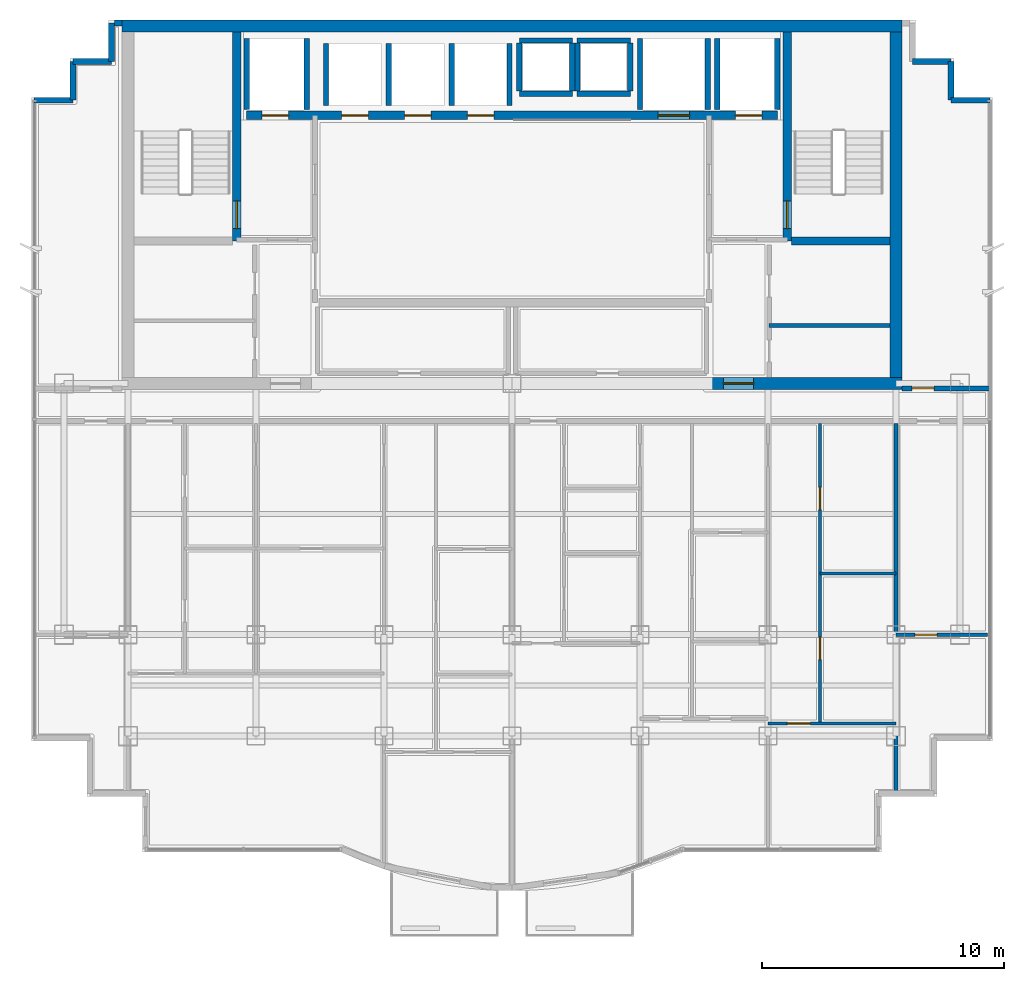
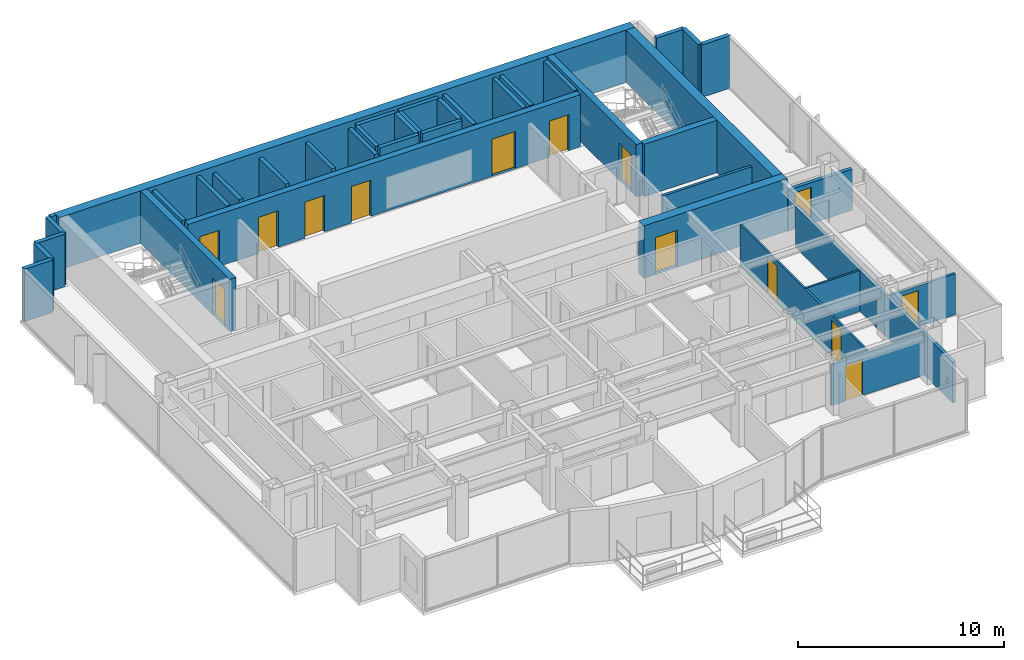
# One storey, part 9 of 12: 40 walls, 14 doors, 14 openings.
"""IFC4 building model written with IfcOpenShell, lengths in metres."""

from ifc_helpers import new_model, si_unit, direction, frame, frame_2d, origin, place, context, subcontext, project, spatial, rectangle, extrude, material, layer, layer_set, type_object, element, fill, save


model = new_model("IFC4")

# Units and contexts
model_context = context("Model", 3, precision=1e-05, world=origin(), true_north=direction((0.0, 1.0)))
body_context = subcontext(model_context, "Body", "Model", "MODEL_VIEW")
ifc_project = project(units=[si_unit("LENGTHUNIT", "METRE"), si_unit("AREAUNIT", "SQUARE_METRE"), si_unit("VOLUMEUNIT", "CUBIC_METRE"), si_unit("PLANEANGLEUNIT", "RADIAN"), si_unit("MASSUNIT", "GRAM", prefix="KILO")], contexts=[model_context])

# Site, building, storey
site_placement = place(None, origin())
site = spatial("IfcSite", under=ifc_project, at=site_placement, CompositionType="ELEMENT")
building_placement = place(site_placement, origin())
building = spatial("IfcBuilding", under=site, at=building_placement, Name="Qianlan Lanfeng Residences", CompositionType="ELEMENT")
storey_placement = place(building_placement, frame((0.0, 0.0, 216.5)))
storey = spatial("IfcBuildingStorey", under=building, at=storey_placement, Name="L59", CompositionType="ELEMENT", Elevation=216.5)

# Wall, opening, door
ifc_material_1 = material(Name="Concrete C49", Category="concrete")
ifc_layer_1 = layer(ifc_material_1, 0.35009765625)
ifc_layer_set_1 = layer_set([ifc_layer_1], Name="Concrete C49")
wall_type_1 = type_object("IfcWallType", Name="CW-RC-350", PredefinedType="SHEAR", material=ifc_layer_set_1)
wall_1_placement = place(storey_placement, frame((15.10009765625, 31.10009765625, 0.0), z_axis=(0.0, 0.0, 1.0), x_axis=(0.0, 1.0, 0.0)))
wall_1 = element("IfcWall", 1, at=wall_1_placement, inside=storey, type_object=wall_type_1, Name="L59 Core Shear Wall ST1E", PredefinedType="SHEAR", context=body_context, shape_type="SweptSolid", body=[
    extrude(rectangle(XDim=8.64990234375, YDim=0.35009765625, at=frame_2d((4.324951171875, 0.0))), origin(), (0.0, 0.0, 1.0), 3.110107421875),
])
opening_1_placement = place(wall_1_placement, frame((0.510009765625, 0.0, 0.0)))
opening_1 = element("IfcOpeningElement", 2, at=opening_1_placement, cuts=wall_1, Name="Opening L59-D07", PredefinedType="OPENING", context=body_context, shape_type="SweptSolid", body=[
    extrude(rectangle(XDim=1.14990234375, YDim=2.199951171875, at=frame_2d((0.574951171875, 1.10009765625))), frame((0.0, 0.18505859375, 0.0), z_axis=(0.0, -1.0, 0.0), x_axis=(1.0, 0.0, 0.0)), (0.0, 0.0, 1.0), 0.3701171875),
])
ifc_material_2 = material(Name="Painted Galvanised Steel Fire Door", Category="steel")
door_type_1 = type_object("IfcDoorType", Name="DT-ST1", OperationType="NOTDEFINED", PredefinedType="DOOR", material=ifc_material_2)
door_1_placement = place(opening_1_placement, frame((1.14990234375, 0.0, 0.0), z_axis=(0.0, 0.0, 1.0), x_axis=(-1.0, 0.0, 0.0)))
door_1 = element("IfcDoor", 3, at=door_1_placement, inside=storey, type_object=door_type_1, Name="L59 Exit Stair ST-1 Door L59-D07 (DT-ST1)", OperationType="SINGLE_SWING_RIGHT", OverallHeight=2.199951171875, OverallWidth=1.14990234375, PredefinedType="DOOR", context=body_context, shape_type="SweptSolid", body=[
    extrude(rectangle(XDim=1.14990234375, YDim=2.199951171875, at=frame_2d((0.574951171875, 1.10009765625))), frame((0.0, 0.02490234375, 0.0), z_axis=(0.0, -1.0, 0.0), x_axis=(1.0, 0.0, 0.0)), (0.0, 0.0, 1.0), 0.050048828125),
])
fill(opening_1, door_1)

wall_2_placement = place(storey_placement, frame((37.89990234375, 31.10009765625, 0.0), z_axis=(0.0, 0.0, 1.0), x_axis=(0.0, 1.0, 0.0)))
wall_2 = element("IfcWall", 4, at=wall_2_placement, inside=storey, type_object=wall_type_1, Name="L59 Core Shear Wall ST2W", PredefinedType="SHEAR", context=body_context, shape_type="SweptSolid", body=[
    extrude(rectangle(XDim=8.64990234375, YDim=0.35009765625, at=frame_2d((4.324951171875, 0.0))), origin(), (0.0, 0.0, 1.0), 3.110107421875),
])
opening_2_placement = place(wall_2_placement, frame((0.510009765625, 0.0, 0.0)))
opening_2 = element("IfcOpeningElement", 5, at=opening_2_placement, cuts=wall_2, Name="Opening L59-D08", PredefinedType="OPENING", context=body_context, shape_type="SweptSolid", body=[
    extrude(rectangle(XDim=1.14990234375, YDim=2.199951171875, at=frame_2d((0.574951171875, 1.10009765625))), frame((0.0, 0.18505859375, 0.0), z_axis=(0.0, -1.0, 0.0), x_axis=(1.0, 0.0, 0.0)), (0.0, 0.0, 1.0), 0.3701171875),
])
door_2_placement = place(opening_2_placement, origin())
door_2 = element("IfcDoor", 6, at=door_2_placement, inside=storey, type_object=door_type_1, Name="L59 Exit Stair ST-2 Door L59-D08 (DT-ST1)", OperationType="SINGLE_SWING_RIGHT", OverallHeight=2.199951171875, OverallWidth=1.14990234375, PredefinedType="DOOR", context=body_context, shape_type="SweptSolid", body=[
    extrude(rectangle(XDim=1.14990234375, YDim=2.199951171875, at=frame_2d((0.574951171875, 1.10009765625))), frame((0.0, 0.02490234375, 0.0), z_axis=(0.0, -1.0, 0.0), x_axis=(1.0, 0.0, 0.0)), (0.0, 0.0, 1.0), 0.050048828125),
])
fill(opening_2, door_2)

# Wall
wall_3_placement = place(storey_placement, frame((38.074951171875, 31.10009765625, 0.0), z_axis=(0.0, 0.0, 1.0), x_axis=(1.0, 0.0, 0.0)))
element("IfcWall", 7, at=wall_3_placement, inside=storey, type_object=wall_type_1, Name="L59 Core Shear Wall ST2S", PredefinedType="SHEAR", context=body_context, shape_type="SweptSolid", body=[
    extrude(rectangle(XDim=4.074951171875, YDim=0.35009765625, at=frame_2d((2.03759765625, 0.0))), origin(), (0.0, 0.0, 1.0), 3.110107421875),
])

# Wall, openings, doors
wall_4_placement = place(storey_placement, frame((15.5, 36.300048828125, 0.0), z_axis=(0.0, 0.0, 1.0), x_axis=(1.0, 0.0, 0.0)))
wall_4 = element("IfcWall", 8, at=wall_4_placement, inside=storey, type_object=wall_type_1, Name="L59 Core Shear Wall LBN", PredefinedType="SHEAR", context=body_context, shape_type="SweptSolid", body=[
    extrude(rectangle(XDim=22.0, YDim=0.35009765625, at=frame_2d((11.0, 0.0))), origin(), (0.0, 0.0, 1.0), 3.110107421875),
])
opening_3_placement = place(wall_4_placement, frame((0.64990234375, 0.0, 0.0)))
opening_3 = element("IfcOpeningElement", 9, at=opening_3_placement, cuts=wall_4, Name="Opening L59-LD-FFL-1", PredefinedType="OPENING", context=body_context, shape_type="SweptSolid", body=[
    extrude(rectangle(XDim=1.10009765625, YDim=2.14990234375, at=frame_2d((0.550048828125, 1.074951171875))), frame((0.0, 0.18505859375, 0.0), z_axis=(0.0, -1.0, 0.0), x_axis=(1.0, 0.0, 0.0)), (0.0, 0.0, 1.0), 0.3701171875),
])
opening_4_placement = place(wall_4_placement, frame((20.25, 0.0, 0.0)))
opening_4 = element("IfcOpeningElement", 10, at=opening_4_placement, cuts=wall_4, Name="Opening L59-LD-FFL-2", PredefinedType="OPENING", context=body_context, shape_type="SweptSolid", body=[
    extrude(rectangle(XDim=1.10009765625, YDim=2.14990234375, at=frame_2d((0.550048828125, 1.074951171875))), frame((0.0, 0.18505859375, 0.0), z_axis=(0.0, -1.0, 0.0), x_axis=(1.0, 0.0, 0.0)), (0.0, 0.0, 1.0), 0.3701171875),
])
opening_5_placement = place(wall_4_placement, frame((17.050048828125, 0.0, 0.0)))
opening_5 = element("IfcOpeningElement", 11, at=opening_5_placement, cuts=wall_4, Name="Opening L59-LD-SVL-1", PredefinedType="OPENING", context=body_context, shape_type="SweptSolid", body=[
    extrude(rectangle(XDim=1.300048828125, YDim=2.199951171875, at=frame_2d((0.64990234375, 1.10009765625))), frame((0.0, 0.18505859375, 0.0), z_axis=(0.0, -1.0, 0.0), x_axis=(1.0, 0.0, 0.0)), (0.0, 0.0, 1.0), 0.3701171875),
])
opening_6_placement = place(wall_4_placement, frame((3.949951171875, 0.0, 0.0)))
opening_6 = element("IfcOpeningElement", 12, at=opening_6_placement, cuts=wall_4, Name="Opening L59-LD-PL-H1", PredefinedType="OPENING", context=body_context, shape_type="SweptSolid", body=[
    extrude(rectangle(XDim=1.10009765625, YDim=2.14990234375, at=frame_2d((0.550048828125, 1.074951171875))), frame((0.0, 0.18505859375, 0.0), z_axis=(0.0, -1.0, 0.0), x_axis=(1.0, 0.0, 0.0)), (0.0, 0.0, 1.0), 0.3701171875),
])
opening_7_placement = place(wall_4_placement, frame((6.550048828125, 0.0, 0.0)))
opening_7 = element("IfcOpeningElement", 13, at=opening_7_placement, cuts=wall_4, Name="Opening L59-LD-PL-H2", PredefinedType="OPENING", context=body_context, shape_type="SweptSolid", body=[
    extrude(rectangle(XDim=1.10009765625, YDim=2.14990234375, at=frame_2d((0.550048828125, 1.074951171875))), frame((0.0, 0.18505859375, 0.0), z_axis=(0.0, -1.0, 0.0), x_axis=(1.0, 0.0, 0.0)), (0.0, 0.0, 1.0), 0.3701171875),
])
opening_8_placement = place(wall_4_placement, frame((9.14990234375, 0.0, 0.0)))
opening_8 = element("IfcOpeningElement", 14, at=opening_8_placement, cuts=wall_4, Name="Opening L59-LD-PL-H3", PredefinedType="OPENING", context=body_context, shape_type="SweptSolid", body=[
    extrude(rectangle(XDim=1.10009765625, YDim=2.14990234375, at=frame_2d((0.550048828125, 1.074951171875))), frame((0.0, 0.18505859375, 0.0), z_axis=(0.0, -1.0, 0.0), x_axis=(1.0, 0.0, 0.0)), (0.0, 0.0, 1.0), 0.3701171875),
])
ifc_material_3 = material(Name="Brushed Stainless Steel Sliding Lift Door", Category="steel")
door_type_2 = type_object("IfcDoorType", Name="LD-01", OperationType="NOTDEFINED", PredefinedType="DOOR", material=ifc_material_3)
door_3_placement = place(opening_3_placement, frame((1.10009765625, 0.0, 0.0), z_axis=(0.0, 0.0, 1.0), x_axis=(-1.0, 0.0, 0.0)))
door_3 = element("IfcDoor", 15, at=door_3_placement, inside=storey, type_object=door_type_2, Name="L59 Elevator FFL-1 Sliding Landing Door", OperationType="DOUBLE_DOOR_SLIDING", OverallHeight=2.14990234375, OverallWidth=1.10009765625, PredefinedType="DOOR", context=body_context, shape_type="SweptSolid", body=[
    extrude(rectangle(XDim=1.10009765625, YDim=2.14990234375, at=frame_2d((0.550048828125, 1.074951171875))), frame((0.0, 0.02490234375, 0.0), z_axis=(0.0, -1.0, 0.0), x_axis=(1.0, 0.0, 0.0)), (0.0, 0.0, 1.0), 0.050048828125),
])
fill(opening_3, door_3)
door_4_placement = place(opening_4_placement, frame((1.10009765625, 0.0, 0.0), z_axis=(0.0, 0.0, 1.0), x_axis=(-1.0, 0.0, 0.0)))
door_4 = element("IfcDoor", 16, at=door_4_placement, inside=storey, type_object=door_type_2, Name="L59 Elevator FFL-2 Sliding Landing Door", OperationType="DOUBLE_DOOR_SLIDING", OverallHeight=2.14990234375, OverallWidth=1.10009765625, PredefinedType="DOOR", context=body_context, shape_type="SweptSolid", body=[
    extrude(rectangle(XDim=1.10009765625, YDim=2.14990234375, at=frame_2d((0.550048828125, 1.074951171875))), frame((0.0, 0.02490234375, 0.0), z_axis=(0.0, -1.0, 0.0), x_axis=(1.0, 0.0, 0.0)), (0.0, 0.0, 1.0), 0.050048828125),
])
fill(opening_4, door_4)
door_5_placement = place(opening_6_placement, frame((1.10009765625, 0.0, 0.0), z_axis=(0.0, 0.0, 1.0), x_axis=(-1.0, 0.0, 0.0)))
door_5 = element("IfcDoor", 17, at=door_5_placement, inside=storey, type_object=door_type_2, Name="L59 Elevator PL-H1 Sliding Landing Door", OperationType="DOUBLE_DOOR_SLIDING", OverallHeight=2.14990234375, OverallWidth=1.10009765625, PredefinedType="DOOR", context=body_context, shape_type="SweptSolid", body=[
    extrude(rectangle(XDim=1.10009765625, YDim=2.14990234375, at=frame_2d((0.550048828125, 1.074951171875))), frame((0.0, 0.02490234375, 0.0), z_axis=(0.0, -1.0, 0.0), x_axis=(1.0, 0.0, 0.0)), (0.0, 0.0, 1.0), 0.050048828125),
])
fill(opening_6, door_5)
door_6_placement = place(opening_7_placement, frame((1.10009765625, 0.0, 0.0), z_axis=(0.0, 0.0, 1.0), x_axis=(-1.0, 0.0, 0.0)))
door_6 = element("IfcDoor", 18, at=door_6_placement, inside=storey, type_object=door_type_2, Name="L59 Elevator PL-H2 Sliding Landing Door", OperationType="DOUBLE_DOOR_SLIDING", OverallHeight=2.14990234375, OverallWidth=1.10009765625, PredefinedType="DOOR", context=body_context, shape_type="SweptSolid", body=[
    extrude(rectangle(XDim=1.10009765625, YDim=2.14990234375, at=frame_2d((0.550048828125, 1.074951171875))), frame((0.0, 0.02490234375, 0.0), z_axis=(0.0, -1.0, 0.0), x_axis=(1.0, 0.0, 0.0)), (0.0, 0.0, 1.0), 0.050048828125),
])
fill(opening_7, door_6)
door_7_placement = place(opening_8_placement, frame((1.10009765625, 0.0, 0.0), z_axis=(0.0, 0.0, 1.0), x_axis=(-1.0, 0.0, 0.0)))
door_7 = element("IfcDoor", 19, at=door_7_placement, inside=storey, type_object=door_type_2, Name="L59 Elevator PL-H3 Sliding Landing Door", OperationType="DOUBLE_DOOR_SLIDING", OverallHeight=2.14990234375, OverallWidth=1.10009765625, PredefinedType="DOOR", context=body_context, shape_type="SweptSolid", body=[
    extrude(rectangle(XDim=1.10009765625, YDim=2.14990234375, at=frame_2d((0.550048828125, 1.074951171875))), frame((0.0, 0.02490234375, 0.0), z_axis=(0.0, -1.0, 0.0), x_axis=(1.0, 0.0, 0.0)), (0.0, 0.0, 1.0), 0.050048828125),
])
fill(opening_8, door_7)
door_type_3 = type_object("IfcDoorType", Name="LD-02", OperationType="NOTDEFINED", PredefinedType="DOOR", material=ifc_material_3)
door_8_placement = place(opening_5_placement, frame((1.300048828125, 0.0, 0.0), z_axis=(0.0, 0.0, 1.0), x_axis=(-1.0, 0.0, 0.0)))
door_8 = element("IfcDoor", 20, at=door_8_placement, inside=storey, type_object=door_type_3, Name="L59 Elevator SVL-1 Sliding Landing Door", OperationType="DOUBLE_DOOR_SLIDING", OverallHeight=2.199951171875, OverallWidth=1.300048828125, PredefinedType="DOOR", context=body_context, shape_type="SweptSolid", body=[
    extrude(rectangle(XDim=1.300048828125, YDim=2.199951171875, at=frame_2d((0.64990234375, 1.10009765625))), frame((0.0, 0.02490234375, 0.0), z_axis=(0.0, -1.0, 0.0), x_axis=(1.0, 0.0, 0.0)), (0.0, 0.0, 1.0), 0.050048828125),
])
fill(opening_5, door_8)

# Walls
ifc_material_4 = material(Name="Concrete C70", Category="concrete")
ifc_layer_2 = layer(ifc_material_4, 0.5)
ifc_layer_set_2 = layer_set([ifc_layer_2], Name="Concrete C70")
wall_type_2 = type_object("IfcWallType", Name="CW-RC-500", PredefinedType="SHEAR", material=ifc_layer_set_2)
wall_5_placement = place(storey_placement, frame((10.35009765625, 40.0, 0.0), z_axis=(0.0, 0.0, 1.0), x_axis=(1.0, 0.0, 0.0)))
element("IfcWall", 21, at=wall_5_placement, inside=storey, type_object=wall_type_2, Name="L59 Core Shear Wall N", PredefinedType="SHEAR", context=body_context, shape_type="SweptSolid", body=[
    extrude(rectangle(XDim=32.2998046875, YDim=0.5, at=frame_2d((16.14990234375, 0.0))), origin(), (0.0, 0.0, 1.0), 3.110107421875),
])
wall_6_placement = place(storey_placement, frame((42.39990234375, 25.449951171875, 0.0), z_axis=(0.0, 0.0, 1.0), x_axis=(0.0, 1.0, 0.0)))
element("IfcWall", 22, at=wall_6_placement, inside=storey, type_object=wall_type_2, Name="L59 Core Shear Wall E", PredefinedType="SHEAR", context=body_context, shape_type="SweptSolid", body=[
    extrude(rectangle(XDim=14.300048828125, YDim=0.5, at=frame_2d((7.14990234375, 0.0))), origin(), (0.0, 0.0, 1.0), 3.110107421875),
])

# Wall, opening, door
wall_7_placement = place(storey_placement, frame((34.60009765625, 25.199951171875, 0.0), z_axis=(0.0, 0.0, 1.0), x_axis=(1.0, 0.0, 0.0)))
wall_7 = element("IfcWall", 23, at=wall_7_placement, inside=storey, type_object=wall_type_2, Name="L59 Core Shear Wall SE", PredefinedType="SHEAR", context=body_context, shape_type="SweptSolid", body=[
    extrude(rectangle(XDim=8.0498046875, YDim=0.5, at=frame_2d((4.02490234375, 0.0))), origin(), (0.0, 0.0, 1.0), 3.110107421875),
])
opening_9_placement = place(wall_7_placement, frame((0.64990234375, 0.0, 0.0)))
opening_9 = element("IfcOpeningElement", 24, at=opening_9_placement, cuts=wall_7, Name="Opening L59-D02", PredefinedType="OPENING", context=body_context, shape_type="SweptSolid", body=[
    extrude(rectangle(XDim=1.25, YDim=2.199951171875, at=frame_2d((0.625, 1.10009765625))), frame((0.0, 0.260009765625, 0.0), z_axis=(0.0, -1.0, 0.0), x_axis=(1.0, 0.0, 0.0)), (0.0, 0.0, 1.0), 0.52001953125),
])
door_type_4 = type_object("IfcDoorType", Name="DT-FFL", OperationType="NOTDEFINED", PredefinedType="DOOR", material=ifc_material_2)
door_9_placement = place(opening_9_placement, frame((1.25, 0.0, 0.0), z_axis=(0.0, 0.0, 1.0), x_axis=(-1.0, 0.0, 0.0)))
door_9 = element("IfcDoor", 25, at=door_9_placement, inside=storey, type_object=door_type_4, Name="L59 East Core Lobby Smoke Door L59-D02 (DT-FFL)", OperationType="SINGLE_SWING_LEFT", OverallHeight=2.199951171875, OverallWidth=1.25, PredefinedType="DOOR", context=body_context, shape_type="SweptSolid", body=[
    extrude(rectangle(XDim=1.25, YDim=2.199951171875, at=frame_2d((0.625, 1.10009765625))), frame((0.0, 0.02490234375, 0.0), z_axis=(0.0, -1.0, 0.0), x_axis=(1.0, 0.0, 0.0)), (0.0, 0.0, 1.0), 0.050048828125),
])
fill(opening_9, door_9)

# Walls
ifc_material_5 = material(Name="Concrete C42", Category="concrete")
ifc_layer_3 = layer(ifc_material_5, 0.239990234375)
ifc_layer_set_3 = layer_set([ifc_layer_3], Name="Concrete C42")
wall_type_3 = type_object("IfcWallType", Name="EW-240", PredefinedType="SOLIDWALL", material=ifc_layer_set_3)
for number, where, z_axis, x_axis, name in (
    (26, (46.280029296875, 36.929931640625, 0.0), (0.0, 0.0, 1.0), (-1.0, 0.0, 0.0), "L59 Exterior Facade Spandrel Wall 13"),
    (27, (44.679931640625, 36.929931640625, 0.0), (0.0, 0.0, 1.0), (0.0, 1.0, 0.0), "L59 Exterior Facade Spandrel Wall 14"),
):
    element("IfcWall", number, at=place(storey_placement, frame(where, z_axis=z_axis, x_axis=x_axis)), inside=storey, type_object=wall_type_3, Name=name, PredefinedType="SOLIDWALL", context=body_context, shape_type="SweptSolid", body=[
        extrude(rectangle(XDim=1.60009765625, YDim=0.239990234375, at=frame_2d((0.800048828125, 0.0))), origin(), (0.0, 0.0, 1.0), 3.110107421875),
    ])
wall_8_placement = place(storey_placement, frame((44.679931640625, 38.530029296875, 0.0), z_axis=(0.0, 0.0, 1.0), x_axis=(-1.0, 0.0, 0.0)))
element("IfcWall", 28, at=wall_8_placement, inside=storey, type_object=wall_type_3, Name="L59 Exterior Facade Spandrel Wall 15", PredefinedType="SOLIDWALL", context=body_context, shape_type="SweptSolid", body=[
    extrude(rectangle(XDim=1.599853515625, YDim=0.239990234375, at=frame_2d((0.7998046875, 0.0))), origin(), (0.0, 0.0, 1.0), 3.110107421875),
])
wall_9_placement = place(storey_placement, frame((10.35009765625, 40.1298828125, 0.0), z_axis=(0.0, 0.0, 1.0), x_axis=(-1.0, 0.0, 0.0)))
element("IfcWall", 29, at=wall_9_placement, inside=storey, type_object=wall_type_3, Name="L59 North Wing Exterior Wall W", PredefinedType="SOLIDWALL", context=body_context, shape_type="SweptSolid", body=[
    extrude(rectangle(XDim=0.300048828125, YDim=0.239990234375, at=frame_2d((0.14990234375, 0.0))), origin(), (0.0, 0.0, 1.0), 3.110107421875),
])
for number, where, z_axis, x_axis, name in (
    (30, (9.919921875, 40.1298828125, 0.0), (0.0, 0.0, 1.0), (0.0, -1.0, 0.0), "L59 Exterior Facade Spandrel Wall 19"),
    (31, (9.919921875, 38.530029296875, 0.0), (0.0, 0.0, 1.0), (-1.0, 0.0, 0.0), "L59 Exterior Facade Spandrel Wall 20"),
):
    element("IfcWall", number, at=place(storey_placement, frame(where, z_axis=z_axis, x_axis=x_axis)), inside=storey, type_object=wall_type_3, Name=name, PredefinedType="SOLIDWALL", context=body_context, shape_type="SweptSolid", body=[
        extrude(rectangle(XDim=1.599853515625, YDim=0.239990234375, at=frame_2d((0.7998046875, 0.0))), origin(), (0.0, 0.0, 1.0), 3.110107421875),
    ])
for number, where, z_axis, x_axis, name in (
    (32, (8.320068359375, 38.530029296875, 0.0), (0.0, 0.0, 1.0), (0.0, -1.0, 0.0), "L59 Exterior Facade Spandrel Wall 21"),
    (33, (8.320068359375, 36.929931640625, 0.0), (0.0, 0.0, 1.0), (-1.0, 0.0, 0.0), "L59 Exterior Facade Spandrel Wall 22"),
):
    element("IfcWall", number, at=place(storey_placement, frame(where, z_axis=z_axis, x_axis=x_axis)), inside=storey, type_object=wall_type_3, Name=name, PredefinedType="SOLIDWALL", context=body_context, shape_type="SweptSolid", body=[
        extrude(rectangle(XDim=1.60009765625, YDim=0.239990234375, at=frame_2d((0.800048828125, 0.0))), origin(), (0.0, 0.0, 1.0), 3.110107421875),
    ])

# Wall, openings, doors
ifc_material_6 = material(Name="Demountable Acoustic Framing Partition 110 mm")
ifc_layer_4 = layer(ifc_material_6, 0.110107421875)
ifc_layer_set_4 = layer_set([ifc_layer_4], Name="Demountable Acoustic Framing Partition 110 mm")
wall_type_4 = type_object("IfcWallType", Name="PW-110", PredefinedType="MOVABLE", material=ifc_layer_set_4)
wall_10_placement = place(storey_placement, frame((39.25, 11.1201171875, 0.0), z_axis=(0.0, 0.0, 1.0), x_axis=(0.0, 1.0, 0.0)))
wall_10 = element("IfcWall", 34, at=wall_10_placement, inside=storey, type_object=wall_type_4, Name="L59 U02 Bedroom 2 Hall Wall", PredefinedType="MOVABLE", context=body_context, shape_type="SweptSolid", body=[
    extrude(rectangle(XDim=12.429931640625, YDim=0.110107421875, at=frame_2d((6.21484375, 0.0))), origin(), (0.0, 0.0, 1.0), 2.429931640625),
])
opening_10_placement = place(wall_10_placement, frame((2.64697265625, 0.0, 0.0)))
opening_10 = element("IfcOpeningElement", 35, at=opening_10_placement, cuts=wall_10, Name="Opening L59-D40", PredefinedType="OPENING", context=body_context, shape_type="SweptSolid", body=[
    extrude(rectangle(XDim=0.919921875, YDim=2.14990234375, at=frame_2d((0.4599609375, 1.074951171875))), frame((0.0, 0.06494140625, 0.0), z_axis=(0.0, -1.0, 0.0), x_axis=(1.0, 0.0, 0.0)), (0.0, 0.0, 1.0), 0.130126953125),
])
opening_11_placement = place(wall_10_placement, frame((8.863037109375, 0.0, 0.0)))
opening_11 = element("IfcOpeningElement", 36, at=opening_11_placement, cuts=wall_10, Name="Opening L59-D41", PredefinedType="OPENING", context=body_context, shape_type="SweptSolid", body=[
    extrude(rectangle(XDim=0.919921875, YDim=2.14990234375, at=frame_2d((0.4599609375, 1.074951171875))), frame((0.0, 0.06494140625, 0.0), z_axis=(0.0, -1.0, 0.0), x_axis=(1.0, 0.0, 0.0)), (0.0, 0.0, 1.0), 0.130126953125),
])
ifc_material_7 = material(Name="Glazed Timber Kitchen/Study Door", Category="wood")
door_type_5 = type_object("IfcDoorType", Name="DT-INT", OperationType="NOTDEFINED", PredefinedType="DOOR", material=ifc_material_7)
door_10_placement = place(opening_10_placement, origin())
door_10 = element("IfcDoor", 37, at=door_10_placement, inside=storey, type_object=door_type_5, Name="L59 U02 Utility Door L59-D40 (DT-INT)", OperationType="SINGLE_SWING_RIGHT", OverallHeight=2.14990234375, OverallWidth=0.919921875, PredefinedType="DOOR", context=body_context, shape_type="SweptSolid", body=[
    extrude(rectangle(XDim=0.919921875, YDim=2.14990234375, at=frame_2d((0.4599609375, 1.074951171875))), frame((0.0, 0.02490234375, 0.0), z_axis=(0.0, -1.0, 0.0), x_axis=(1.0, 0.0, 0.0)), (0.0, 0.0, 1.0), 0.050048828125),
])
fill(opening_10, door_10)
door_11_placement = place(opening_11_placement, origin())
door_11 = element("IfcDoor", 38, at=door_11_placement, inside=storey, type_object=door_type_5, Name="L59 U02 Specialty Door L59-D41 (DT-INT)", OperationType="SINGLE_SWING_LEFT", OverallHeight=2.14990234375, OverallWidth=0.919921875, PredefinedType="DOOR", context=body_context, shape_type="SweptSolid", body=[
    extrude(rectangle(XDim=0.919921875, YDim=2.14990234375, at=frame_2d((0.4599609375, 1.074951171875))), frame((0.0, 0.02490234375, 0.0), z_axis=(0.0, -1.0, 0.0), x_axis=(1.0, 0.0, 0.0)), (0.0, 0.0, 1.0), 0.050048828125),
])
fill(opening_11, door_11)

# Wall
wall_11_placement = place(storey_placement, frame((39.25, 17.3349609375, 0.0), z_axis=(0.0, 0.0, 1.0), x_axis=(1.0, 0.0, 0.0)))
element("IfcWall", 39, at=wall_11_placement, inside=storey, type_object=wall_type_4, Name="L59 U02 Specialty Split Wall", PredefinedType="MOVABLE", context=body_context, shape_type="SweptSolid", body=[
    extrude(rectangle(XDim=3.14990234375, YDim=0.110107421875, at=frame_2d((1.574951171875, 0.0))), origin(), (0.0, 0.0, 1.0), 2.429931640625),
])

# Wall, opening, door
ifc_material_8 = material(Name="Moisture-Resistant Gypsum Partition 135 mm")
ifc_layer_5 = layer(ifc_material_8, 0.135009765625)
ifc_layer_set_5 = layer_set([ifc_layer_5], Name="Moisture-Resistant Gypsum Partition 135 mm")
wall_type_5 = type_object("IfcWallType", Name="PW-135", PredefinedType="PARTITIONING", material=ifc_layer_set_5)
wall_12_placement = place(storey_placement, frame((37.10009765625, 11.1201171875, 0.0), z_axis=(0.0, 0.0, 1.0), x_axis=(1.0, 0.0, 0.0)))
wall_12 = element("IfcWall", 40, at=wall_12_placement, inside=storey, type_object=wall_type_5, Name="L59 U02 Bedroom 2 North Wall", PredefinedType="PARTITIONING", context=body_context, shape_type="SweptSolid", body=[
    extrude(rectangle(XDim=5.2998046875, YDim=0.135009765625, at=frame_2d((2.64990234375, 0.0))), origin(), (0.0, 0.0, 1.0), 2.429931640625),
])
opening_12_placement = place(wall_12_placement, frame((0.800048828125, 0.0, 0.0)))
opening_12 = element("IfcOpeningElement", 41, at=opening_12_placement, cuts=wall_12, Name="Opening L59-D39", PredefinedType="OPENING", context=body_context, shape_type="SweptSolid", body=[
    extrude(rectangle(XDim=0.949951171875, YDim=2.14990234375, at=frame_2d((0.47509765625, 1.074951171875))), frame((0.0, 0.07763671875, 0.0), z_axis=(0.0, -1.0, 0.0), x_axis=(1.0, 0.0, 0.0)), (0.0, 0.0, 1.0), 0.155029296875),
])
ifc_material_9 = material(Name="Painted Solid-Core Timber Leaf", Category="wood")
door_type_6 = type_object("IfcDoorType", Name="DT-BED", OperationType="NOTDEFINED", PredefinedType="DOOR", material=ifc_material_9)
door_12_placement = place(opening_12_placement, origin())
door_12 = element("IfcDoor", 42, at=door_12_placement, inside=storey, type_object=door_type_6, Name="L59 U02 Bedroom 2 Door L59-D39 (DT-BED)", OperationType="SINGLE_SWING_LEFT", OverallHeight=2.14990234375, OverallWidth=0.949951171875, PredefinedType="DOOR", context=body_context, shape_type="SweptSolid", body=[
    extrude(rectangle(XDim=0.949951171875, YDim=2.14990234375, at=frame_2d((0.47509765625, 1.074951171875))), frame((0.0, 0.02490234375, 0.0), z_axis=(0.0, -1.0, 0.0), x_axis=(1.0, 0.0, 0.0)), (0.0, 0.0, 1.0), 0.050048828125),
])
fill(opening_12, door_12)

wall_13_placement = place(storey_placement, frame((42.39990234375, 14.800048828125, 0.0), z_axis=(0.0, 0.0, 1.0), x_axis=(1.0, 0.0, 0.0)))
wall_13 = element("IfcWall", 43, at=wall_13_placement, inside=storey, type_object=wall_type_5, Name="L59 SEP Mid Partition", PredefinedType="PARTITIONING", context=body_context, shape_type="SweptSolid", body=[
    extrude(rectangle(XDim=3.780029296875, YDim=0.135009765625, at=frame_2d((1.89013671875, 0.0))), origin(), (0.0, 0.0, 1.0), 2.429931640625),
])
opening_13_placement = place(wall_13_placement, frame((0.780029296875, 0.0, 0.0)))
opening_13 = element("IfcOpeningElement", 44, at=opening_13_placement, cuts=wall_13, Name="Opening L59-D44", PredefinedType="OPENING", context=body_context, shape_type="SweptSolid", body=[
    extrude(rectangle(XDim=0.919921875, YDim=2.14990234375, at=frame_2d((0.4599609375, 1.074951171875))), frame((0.0, 0.07763671875, 0.0), z_axis=(0.0, -1.0, 0.0), x_axis=(1.0, 0.0, 0.0)), (0.0, 0.0, 1.0), 0.155029296875),
])
door_13_placement = place(opening_13_placement, origin())
door_13 = element("IfcDoor", 45, at=door_13_placement, inside=storey, type_object=door_type_5, Name="L59 SEP Inner Door L59-D44 (DT-INT)", OperationType="SINGLE_SWING_RIGHT", OverallHeight=2.14990234375, OverallWidth=0.919921875, PredefinedType="DOOR", context=body_context, shape_type="SweptSolid", body=[
    extrude(rectangle(XDim=0.919921875, YDim=2.14990234375, at=frame_2d((0.4599609375, 1.074951171875))), frame((0.0, 0.02490234375, 0.0), z_axis=(0.0, -1.0, 0.0), x_axis=(1.0, 0.0, 0.0)), (0.0, 0.0, 1.0), 0.050048828125),
])
fill(opening_13, door_13)

# Walls
ifc_material_10 = material(Name="Acoustic Drywall Partition 150 mm")
ifc_layer_6 = layer(ifc_material_10, 0.14990234375)
ifc_layer_set_6 = layer_set([ifc_layer_6], Name="Acoustic Drywall Partition 150 mm")
wall_type_6 = type_object("IfcWallType", Name="PW-150", PredefinedType="PARTITIONING", material=ifc_layer_set_6)
wall_14_placement = place(storey_placement, frame((37.14990234375, 27.60009765625, 0.0), z_axis=(0.0, 0.0, 1.0), x_axis=(1.0, 0.0, 0.0)))
element("IfcWall", 46, at=wall_14_placement, inside=storey, type_object=wall_type_6, Name="L59 Core East Split", PredefinedType="PARTITIONING", context=body_context, shape_type="SweptSolid", body=[
    extrude(rectangle(XDim=5.0, YDim=0.14990234375, at=frame_2d((2.5, 0.0))), origin(), (0.0, 0.0, 1.0), 2.429931640625),
])
ifc_material_11 = material(Name="Double-Layer Acoustic Gypsum Stud Wall 180 mm")
ifc_layer_7 = layer(ifc_material_11, 0.179931640625)
ifc_layer_set_7 = layer_set([ifc_layer_7], Name="Double-Layer Acoustic Gypsum Stud Wall 180 mm")
wall_type_7 = type_object("IfcWallType", Name="PW-180", PredefinedType="PARTITIONING", material=ifc_layer_set_7)
wall_15_placement = place(storey_placement, frame((42.39990234375, 8.320068359375, 0.0), z_axis=(0.0, 0.0, 1.0), x_axis=(0.0, 1.0, 0.0)))
element("IfcWall", 47, at=wall_15_placement, inside=storey, type_object=wall_type_7, Name="L59 Wing Boundary Party Wall E0", PredefinedType="PARTITIONING", context=body_context, shape_type="SweptSolid", body=[
    extrude(rectangle(XDim=15.22998046875, YDim=0.179931640625, at=frame_2d((7.614990234375, 0.0))), origin(), (0.0, 0.0, 1.0), 2.429931640625),
])

# Wall, opening, door
ifc_material_12 = material(Name="Autoclaved Aerated Concrete Blockwork 200 mm", Category="masonry")
ifc_layer_8 = layer(ifc_material_12, 0.199951171875)
ifc_layer_set_8 = layer_set([ifc_layer_8], Name="Autoclaved Aerated Concrete Blockwork 200 mm")
wall_type_8 = type_object("IfcWallType", Name="PW-200", PredefinedType="PARTITIONING", material=ifc_layer_set_8)
wall_16_placement = place(storey_placement, frame((42.64990234375, 25.0, 0.0), z_axis=(0.0, 0.0, 1.0), x_axis=(1.0, 0.0, 0.0)))
wall_16 = element("IfcWall", 48, at=wall_16_placement, inside=storey, type_object=wall_type_8, Name="L59 Corridor NE Wall", PredefinedType="PARTITIONING", context=body_context, shape_type="SweptSolid", body=[
    extrude(rectangle(XDim=3.630126953125, YDim=0.199951171875, at=frame_2d((1.81494140625, 0.0))), origin(), (0.0, 0.0, 1.0), 2.429931640625),
])
opening_14_placement = place(wall_16_placement, frame((0.405029296875, 0.0, 0.0)))
opening_14 = element("IfcOpeningElement", 49, at=opening_14_placement, cuts=wall_16, Name="Opening L59-D47", PredefinedType="OPENING", context=body_context, shape_type="SweptSolid", body=[
    extrude(rectangle(XDim=0.919921875, YDim=2.14990234375, at=frame_2d((0.4599609375, 1.074951171875))), frame((0.0, 0.10986328125, 0.0), z_axis=(0.0, -1.0, 0.0), x_axis=(1.0, 0.0, 0.0)), (0.0, 0.0, 1.0), 0.219970703125),
])
door_14_placement = place(opening_14_placement, frame((0.919921875, 0.0, 0.0), z_axis=(0.0, 0.0, 1.0), x_axis=(-1.0, 0.0, 0.0)))
door_14 = element("IfcDoor", 50, at=door_14_placement, inside=storey, type_object=door_type_5, Name="L59 EW Amenity Salon Door L59-D47 (DT-INT)", OperationType="SINGLE_SWING_RIGHT", OverallHeight=2.14990234375, OverallWidth=0.919921875, PredefinedType="DOOR", context=body_context, shape_type="SweptSolid", body=[
    extrude(rectangle(XDim=0.919921875, YDim=2.14990234375, at=frame_2d((0.4599609375, 1.074951171875))), frame((0.0, 0.02490234375, 0.0), z_axis=(0.0, -1.0, 0.0), x_axis=(1.0, 0.0, 0.0)), (0.0, 0.0, 1.0), 0.050048828125),
])
fill(opening_14, door_14)

# Walls
ifc_layer_9 = layer(ifc_material_1, 0.219970703125)
ifc_layer_set_9 = layer_set([ifc_layer_9], Name="Concrete C49")
wall_type_9 = type_object("IfcWallType", Name="SHW-220", PredefinedType="SOLIDWALL", material=ifc_layer_set_9)
for number, where, z_axis, x_axis, name in (
    (51, (15.52001953125, 36.550048828125, 0.0), (0.0, 0.0, 1.0), (0.0, 1.0, 0.0), "L59 Lift FFL-1 Shaft Wall W"),
    (52, (18.0, 36.550048828125, 0.0), (0.0, 0.0, 1.0), (0.0, 1.0, 0.0), "L59 Lift FFL-1 Shaft Wall E"),
    (53, (35.0, 36.550048828125, 0.0), (0.0, 0.0, 1.0), (0.0, 1.0, 0.0), "L59 Lift FFL-2 Shaft Wall W"),
    (54, (37.47998046875, 36.550048828125, 0.0), (0.0, 0.0, 1.0), (0.0, 1.0, 0.0), "L59 Lift FFL-2 Shaft Wall E"),
    (55, (31.800048828125, 36.550048828125, 0.0), (0.0, 0.0, 1.0), (0.0, 1.0, 0.0), "L59 Lift SVL-1 Shaft Wall W"),
    (56, (34.60009765625, 36.550048828125, 0.0), (0.0, 0.0, 1.0), (0.0, 1.0, 0.0), "L59 Lift SVL-1 Shaft Wall E"),
):
    element("IfcWall", number, at=place(storey_placement, frame(where, z_axis=z_axis, x_axis=x_axis)), inside=storey, type_object=wall_type_9, Name=name, PredefinedType="SOLIDWALL", context=body_context, shape_type="SweptSolid", body=[
        extrude(rectangle(XDim=2.929931640625, YDim=0.219970703125, at=frame_2d((1.46484375, 0.0))), origin(), (0.0, 0.0, 1.0), 3.110107421875),
    ])
for number, where, z_axis, x_axis, name in (
    (57, (18.800048828125, 36.719970703125, 0.0), (0.0, 0.0, 1.0), (0.0, 1.0, 0.0), "L59 Lift PL-H1 Shaft Wall W"),
    (58, (21.39990234375, 36.719970703125, 0.0), (0.0, 0.0, 1.0), (0.0, 1.0, 0.0), "L59 Lift PL-H2 Shaft Wall W"),
    (59, (24.0, 36.719970703125, 0.0), (0.0, 0.0, 1.0), (0.0, 1.0, 0.0), "L59 Lift PL-H3 Shaft Wall W"),
    (60, (26.39990234375, 36.719970703125, 0.0), (0.0, 0.0, 1.0), (0.0, 1.0, 0.0), "L59 Lift PL-H3 Shaft Wall E"),
):
    element("IfcWall", number, at=place(storey_placement, frame(where, z_axis=z_axis, x_axis=x_axis)), inside=storey, type_object=wall_type_9, Name=name, PredefinedType="SOLIDWALL", context=body_context, shape_type="SweptSolid", body=[
        extrude(rectangle(XDim=2.56005859375, YDim=0.219970703125, at=frame_2d((1.280029296875, 0.0))), origin(), (0.0, 0.0, 1.0), 3.110107421875),
    ])
for number, where, z_axis, x_axis, name in (
    (61, (26.800048828125, 37.31005859375, 0.0), (0.0, 0.0, 1.0), (0.0, 1.0, 0.0), "L59 MEP Riser MEP-R1 Shaft Wall W"),
    (62, (29.0, 37.31005859375, 0.0), (0.0, 0.0, 1.0), (0.0, 1.0, 0.0), "L59 MEP Riser MEP-R1 Shaft Wall E"),
):
    element("IfcWall", number, at=place(storey_placement, frame(where, z_axis=z_axis, x_axis=x_axis)), inside=storey, type_object=wall_type_9, Name=name, PredefinedType="SOLIDWALL", context=body_context, shape_type="SweptSolid", body=[
        extrude(rectangle(XDim=1.97998046875, YDim=0.219970703125, at=frame_2d((0.989990234375, 0.0))), origin(), (0.0, 0.0, 1.0), 3.110107421875),
    ])
for number, where, z_axis, x_axis, name in (
    (63, (26.800048828125, 39.39990234375, 0.0), (0.0, 0.0, 1.0), (1.0, 0.0, 0.0), "L59 MEP Riser MEP-R1 Shaft Wall N"),
    (64, (26.800048828125, 37.199951171875, 0.0), (0.0, 0.0, 1.0), (1.0, 0.0, 0.0), "L59 MEP Riser MEP-R1 Shaft Wall S"),
):
    element("IfcWall", number, at=place(storey_placement, frame(where, z_axis=z_axis, x_axis=x_axis)), inside=storey, type_object=wall_type_9, Name=name, PredefinedType="SOLIDWALL", context=body_context, shape_type="SweptSolid", body=[
        extrude(rectangle(XDim=2.199951171875, YDim=0.219970703125, at=frame_2d((1.10009765625, 0.0))), origin(), (0.0, 0.0, 1.0), 3.110107421875),
    ])
for number, where, z_axis, x_axis, name in (
    (65, (29.199951171875, 37.31005859375, 0.0), (0.0, 0.0, 1.0), (0.0, 1.0, 0.0), "L59 MEP Riser MEP-R2 Shaft Wall W"),
    (66, (31.39990234375, 37.31005859375, 0.0), (0.0, 0.0, 1.0), (0.0, 1.0, 0.0), "L59 MEP Riser MEP-R2 Shaft Wall E"),
):
    element("IfcWall", number, at=place(storey_placement, frame(where, z_axis=z_axis, x_axis=x_axis)), inside=storey, type_object=wall_type_9, Name=name, PredefinedType="SOLIDWALL", context=body_context, shape_type="SweptSolid", body=[
        extrude(rectangle(XDim=1.97998046875, YDim=0.219970703125, at=frame_2d((0.989990234375, 0.0))), origin(), (0.0, 0.0, 1.0), 3.110107421875),
    ])
for number, where, z_axis, x_axis, name in (
    (67, (29.199951171875, 39.39990234375, 0.0), (0.0, 0.0, 1.0), (1.0, 0.0, 0.0), "L59 MEP Riser MEP-R2 Shaft Wall N"),
    (68, (29.199951171875, 37.199951171875, 0.0), (0.0, 0.0, 1.0), (1.0, 0.0, 0.0), "L59 MEP Riser MEP-R2 Shaft Wall S"),
):
    element("IfcWall", number, at=place(storey_placement, frame(where, z_axis=z_axis, x_axis=x_axis)), inside=storey, type_object=wall_type_9, Name=name, PredefinedType="SOLIDWALL", context=body_context, shape_type="SweptSolid", body=[
        extrude(rectangle(XDim=2.199951171875, YDim=0.219970703125, at=frame_2d((1.10009765625, 0.0))), origin(), (0.0, 0.0, 1.0), 3.110107421875),
    ])

save(model, "model.ifc")
